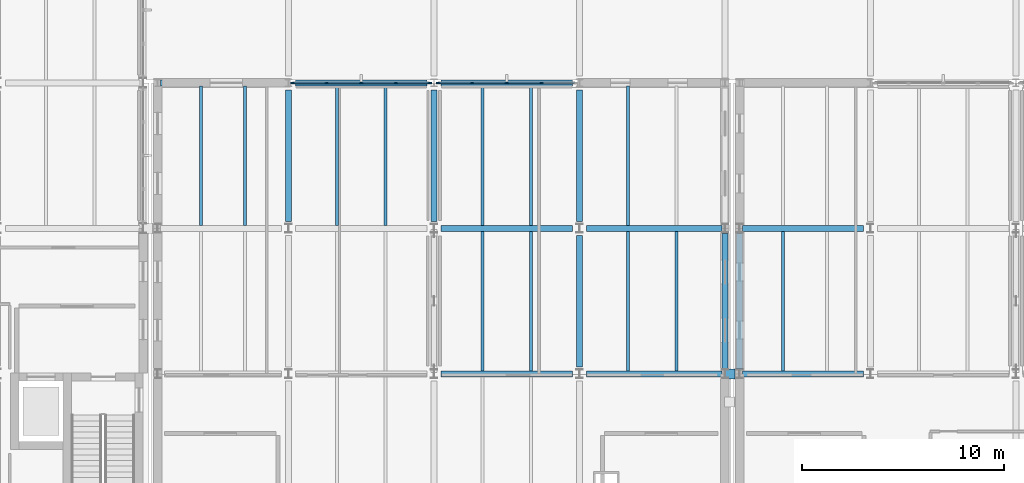
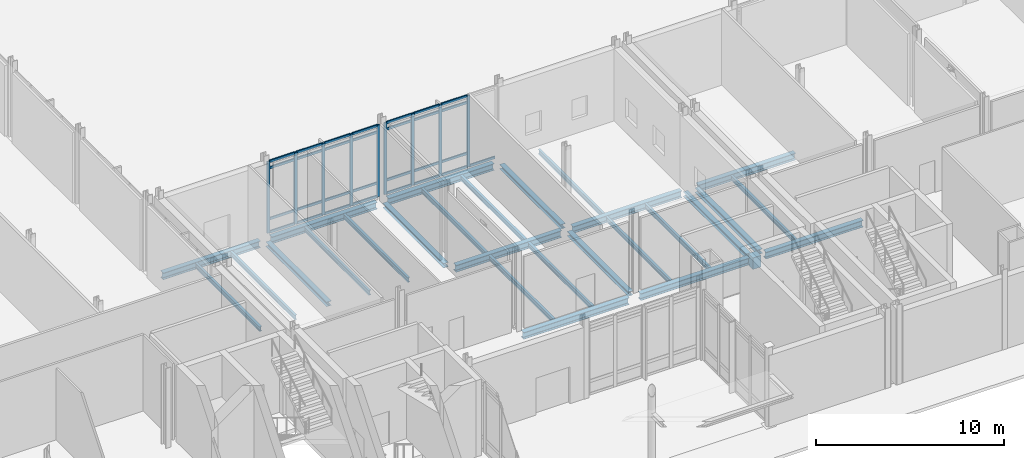
# One storey, part 15 of 89: 38 members, 28 beams, 2 elements without a shape of their own.
"""IFC4 building model written with IfcOpenShell, lengths in metres."""

from ifc_helpers import new_model, si_unit, direction, frame, origin, origin_2d, place, context, subcontext, project, spatial, rectangle, i_section, extrude, material, layer, layer_set, material_profile, profile_set, type_object, element, aggregate, save


model = new_model("IFC4")

# Units and contexts
model_context = context("Model", 3, precision=1e-05, world=origin(), true_north=direction((0.0, 1.0)))
body_context = subcontext(model_context, "Body", "Model", "MODEL_VIEW")
ifc_project = project(units=[si_unit("LENGTHUNIT", "METRE"), si_unit("AREAUNIT", "SQUARE_METRE"), si_unit("VOLUMEUNIT", "CUBIC_METRE"), si_unit("PLANEANGLEUNIT", "RADIAN"), si_unit("MASSUNIT", "GRAM", prefix="KILO")], contexts=[model_context])

# Site, building, storey
site_placement = place(None, origin())
site = spatial("IfcSite", under=ifc_project, at=site_placement, CompositionType="ELEMENT")
building_placement = place(site_placement, origin())
building = spatial("IfcBuilding", under=site, at=building_placement, Name="Zarrinpeak Specialist Clinic", CompositionType="ELEMENT")
storey_placement = place(building_placement, origin())
storey = spatial("IfcBuildingStorey", under=building, at=storey_placement, Name="L00", CompositionType="ELEMENT", Elevation=0.0)

# Beams
ifc_material_1 = material(Name="Steel S355", Category="steel")
ifc_material_profile_1 = material_profile(ifc_material_1, i_section(OverallWidth=0.300048828125, OverallDepth=0.2900390625, WebThickness=0.008544921875, FlangeThickness=0.013916015625, FilletRadius=0.027099609375, at=origin_2d()), Name="HEA 300")
ifc_profile_set_1 = profile_set([ifc_material_profile_1], Name="Steel S355")
beam_type_1 = type_object("IfcBeamType", Name="BM-HEA300", PredefinedType="BEAM", material=ifc_profile_set_1)
for number, where, z_axis, x_axis, name in (
    (1, (36.0, 21.947998046875, -0.39501953125), (0.0, 1.0, 0.0), (-1.0, 0.0, 0.0), "L00 Primary Beam BM-L00-Y0266"),
    (2, (43.199951171875, 21.947998046875, -0.39501953125), (0.0, 1.0, 0.0), (-1.0, 0.0, 0.0), "L00 Primary Beam BM-L00-Y0281"),
    (3, (50.39990234375, 14.748046875, -0.39501953125), (0.0, 1.0, 0.0), (-1.0, 0.0, 0.0), "L00 Primary Beam BM-L00-Y0297"),
    (4, (50.39990234375, 21.947998046875, -0.39501953125), (0.0, 1.0, 0.0), (-1.0, 0.0, 0.0), "L00 Primary Beam BM-L00-Y0298"),
):
    element("IfcBeam", number, at=place(storey_placement, frame(where, z_axis=z_axis, x_axis=x_axis)), inside=storey, type_object=beam_type_1, Name=name, PredefinedType="BEAM", context=body_context, shape_type="SweptSolid", body=[
        extrude(i_section(OverallWidth=0.300048828125, OverallDepth=0.2900390625, WebThickness=0.008544921875, FlangeThickness=0.013916015625, FilletRadius=0.027099609375, at=origin_2d()), origin(), (0.0, 0.0, 1.0), 6.50390625),
    ])
for number, where, z_axis, x_axis, name in (
    (5, (57.60009765625, 14.64794921875, -0.39501953125), (0.0, 1.0, 0.0), (-1.0, 0.0, 0.0), "L00 Primary Beam BM-L00-Y0312"),
    (6, (58.320068359375, 14.64794921875, -0.39501953125), (0.0, 1.0, 0.0), (-1.0, 0.0, 0.0), "L00 Primary Beam BM-L00-Y0327"),
):
    element("IfcBeam", number, at=place(storey_placement, frame(where, z_axis=z_axis, x_axis=x_axis)), inside=storey, type_object=beam_type_1, Name=name, PredefinedType="BEAM", context=body_context, shape_type="SweptSolid", body=[
        extrude(i_section(OverallWidth=0.300048828125, OverallDepth=0.2900390625, WebThickness=0.008544921875, FlangeThickness=0.013916015625, FilletRadius=0.027099609375, at=origin_2d()), origin(), (0.0, 0.0, 1.0), 6.7041015625),
    ])
ifc_material_profile_2 = material_profile(ifc_material_1, i_section(OverallWidth=0.300048828125, OverallDepth=0.43994140625, WebThickness=0.011474609375, FlangeThickness=0.02099609375, FilletRadius=0.027099609375, at=origin_2d()), Name="HEA 450")
ifc_profile_set_2 = profile_set([ifc_material_profile_2], Name="Steel S355")
beam_type_2 = type_object("IfcBeamType", Name="BM-HEA450", PredefinedType="BEAM", material=ifc_profile_set_2)
beam_1_placement = place(storey_placement, frame((43.548095703125, 14.39990234375, -0.469970703125), z_axis=(1.0, 0.0, 0.0), x_axis=(0.0, 1.0, 0.0)))
element("IfcBeam", 7, at=beam_1_placement, inside=storey, type_object=beam_type_2, Name="L00 Primary Floor Girder BM-L00-X0022", PredefinedType="BEAM", context=body_context, shape_type="SweptSolid", body=[
    extrude(i_section(OverallWidth=0.300048828125, OverallDepth=0.43994140625, WebThickness=0.011474609375, FlangeThickness=0.02099609375, FilletRadius=0.027099609375, at=origin_2d()), origin(), (0.0, 0.0, 1.0), 6.50390625),
])
beam_2_placement = place(storey_placement, frame((50.748046875, 14.39990234375, -0.469970703125), z_axis=(1.0, 0.0, 0.0), x_axis=(0.0, 1.0, 0.0)))
element("IfcBeam", 8, at=beam_2_placement, inside=storey, type_object=beam_type_2, Name="L00 Primary Floor Girder BM-L00-X0023", PredefinedType="BEAM", context=body_context, shape_type="SweptSolid", body=[
    extrude(i_section(OverallWidth=0.300048828125, OverallDepth=0.43994140625, WebThickness=0.011474609375, FlangeThickness=0.02099609375, FilletRadius=0.027099609375, at=origin_2d()), origin(), (0.0, 0.0, 1.0), 6.703857421875),
])
beam_3_placement = place(storey_placement, frame((58.468017578125, 14.39990234375, -0.469970703125), z_axis=(1.0, 0.0, 0.0), x_axis=(0.0, 1.0, 0.0)))
element("IfcBeam", 9, at=beam_3_placement, inside=storey, type_object=beam_type_2, Name="L00 Primary Floor Girder BM-L00-X0024", PredefinedType="BEAM", context=body_context, shape_type="SweptSolid", body=[
    extrude(i_section(OverallWidth=0.300048828125, OverallDepth=0.43994140625, WebThickness=0.011474609375, FlangeThickness=0.02099609375, FilletRadius=0.027099609375, at=origin_2d()), origin(), (0.0, 0.0, 1.0), 5.98388671875),
])
beam_4_placement = place(storey_placement, frame((43.548095703125, 21.60009765625, -0.469970703125), z_axis=(1.0, 0.0, 0.0), x_axis=(0.0, 1.0, 0.0)))
element("IfcBeam", 10, at=beam_4_placement, inside=storey, type_object=beam_type_2, Name="L00 Primary Floor Girder BM-L00-X0034", PredefinedType="BEAM", context=body_context, shape_type="SweptSolid", body=[
    extrude(i_section(OverallWidth=0.300048828125, OverallDepth=0.43994140625, WebThickness=0.011474609375, FlangeThickness=0.02099609375, FilletRadius=0.027099609375, at=origin_2d()), origin(), (0.0, 0.0, 1.0), 6.50390625),
])
beam_5_placement = place(storey_placement, frame((50.748046875, 21.60009765625, -0.469970703125), z_axis=(1.0, 0.0, 0.0), x_axis=(0.0, 1.0, 0.0)))
element("IfcBeam", 11, at=beam_5_placement, inside=storey, type_object=beam_type_2, Name="L00 Primary Floor Girder BM-L00-X0035", PredefinedType="BEAM", context=body_context, shape_type="SweptSolid", body=[
    extrude(i_section(OverallWidth=0.300048828125, OverallDepth=0.43994140625, WebThickness=0.011474609375, FlangeThickness=0.02099609375, FilletRadius=0.027099609375, at=origin_2d()), origin(), (0.0, 0.0, 1.0), 6.703857421875),
])
beam_6_placement = place(storey_placement, frame((58.468017578125, 21.60009765625, -0.469970703125), z_axis=(1.0, 0.0, 0.0), x_axis=(0.0, 1.0, 0.0)))
element("IfcBeam", 12, at=beam_6_placement, inside=storey, type_object=beam_type_2, Name="L00 Primary Floor Girder BM-L00-X0036", PredefinedType="BEAM", context=body_context, shape_type="SweptSolid", body=[
    extrude(i_section(OverallWidth=0.300048828125, OverallDepth=0.43994140625, WebThickness=0.011474609375, FlangeThickness=0.02099609375, FilletRadius=0.027099609375, at=origin_2d()), origin(), (0.0, 0.0, 1.0), 5.98388671875),
])
beam_7_placement = place(storey_placement, frame((29.66796875, 28.800048828125, -0.469970703125), z_axis=(1.0, 0.0, 0.0), x_axis=(0.0, 1.0, 0.0)))
element("IfcBeam", 13, at=beam_7_placement, inside=storey, type_object=beam_type_2, Name="L00 Primary Floor Girder BM-L00-X0044", PredefinedType="BEAM", context=body_context, shape_type="SweptSolid", body=[
    extrude(i_section(OverallWidth=0.300048828125, OverallDepth=0.43994140625, WebThickness=0.011474609375, FlangeThickness=0.02099609375, FilletRadius=0.027099609375, at=origin_2d()), origin(), (0.0, 0.0, 1.0), 5.984130859375),
])
beam_8_placement = place(storey_placement, frame((36.347900390625, 28.800048828125, -0.469970703125), z_axis=(1.0, 0.0, 0.0), x_axis=(0.0, 1.0, 0.0)))
element("IfcBeam", 14, at=beam_8_placement, inside=storey, type_object=beam_type_2, Name="L00 Primary Floor Girder BM-L00-X0045", PredefinedType="BEAM", context=body_context, shape_type="SweptSolid", body=[
    extrude(i_section(OverallWidth=0.300048828125, OverallDepth=0.43994140625, WebThickness=0.011474609375, FlangeThickness=0.02099609375, FilletRadius=0.027099609375, at=origin_2d()), origin(), (0.0, 0.0, 1.0), 6.504150390625),
])
beam_9_placement = place(storey_placement, frame((43.548095703125, 28.800048828125, -0.469970703125), z_axis=(1.0, 0.0, 0.0), x_axis=(0.0, 1.0, 0.0)))
element("IfcBeam", 15, at=beam_9_placement, inside=storey, type_object=beam_type_2, Name="L00 Primary Floor Girder BM-L00-X0046", PredefinedType="BEAM", context=body_context, shape_type="SweptSolid", body=[
    extrude(i_section(OverallWidth=0.300048828125, OverallDepth=0.43994140625, WebThickness=0.011474609375, FlangeThickness=0.02099609375, FilletRadius=0.027099609375, at=origin_2d()), origin(), (0.0, 0.0, 1.0), 6.50390625),
])
ifc_material_profile_3 = material_profile(ifc_material_1, i_section(OverallWidth=0.14990234375, OverallDepth=0.300048828125, WebThickness=0.007080078125, FlangeThickness=0.0107421875, FilletRadius=0.014892578125, at=origin_2d()), Name="IPE 300")
ifc_profile_set_3 = profile_set([ifc_material_profile_3], Name="Steel S355")
beam_type_3 = type_object("IfcBeamType", Name="BM-JST300", PredefinedType="JOIST", material=ifc_profile_set_3)
for number, where, z_axis, x_axis, name in (
    (16, (31.679931640625, 21.748046875, -0.39990234375), (0.0, 1.0, 0.0), (-1.0, 0.0, 0.0), "L00 Composite Floor Joist JST-L00-0459"),
    (17, (33.840087890625, 21.748046875, -0.39990234375), (0.0, 1.0, 0.0), (-1.0, 0.0, 0.0), "L00 Composite Floor Joist JST-L00-0460"),
    (18, (38.39990234375, 21.748046875, -0.39990234375), (0.0, 1.0, 0.0), (-1.0, 0.0, 0.0), "L00 Composite Floor Joist JST-L00-0467"),
    (19, (40.800048828125, 21.748046875, -0.39990234375), (0.0, 1.0, 0.0), (-1.0, 0.0, 0.0), "L00 Composite Floor Joist JST-L00-0468"),
):
    element("IfcBeam", number, at=place(storey_placement, frame(where, z_axis=z_axis, x_axis=x_axis)), inside=storey, type_object=beam_type_3, Name=name, PredefinedType="JOIST", context=body_context, shape_type="SweptSolid", body=[
        extrude(i_section(OverallWidth=0.14990234375, OverallDepth=0.300048828125, WebThickness=0.007080078125, FlangeThickness=0.0107421875, FilletRadius=0.014892578125, at=origin_2d()), origin(), (0.0, 0.0, 1.0), 6.904052734375),
    ])
for number, where, z_axis, x_axis, name in (
    (20, (45.60009765625, 14.548095703125, -0.39990234375), (0.0, 1.0, 0.0), (-1.0, 0.0, 0.0), "L00 Composite Floor Joist JST-L00-0473"),
    (21, (48.0, 14.548095703125, -0.39990234375), (0.0, 1.0, 0.0), (-1.0, 0.0, 0.0), "L00 Composite Floor Joist JST-L00-0474"),
):
    element("IfcBeam", number, at=place(storey_placement, frame(where, z_axis=z_axis, x_axis=x_axis)), inside=storey, type_object=beam_type_3, Name=name, PredefinedType="JOIST", context=body_context, shape_type="SweptSolid", body=[
        extrude(i_section(OverallWidth=0.14990234375, OverallDepth=0.300048828125, WebThickness=0.007080078125, FlangeThickness=0.0107421875, FilletRadius=0.014892578125, at=origin_2d()), origin(), (0.0, 0.0, 1.0), 6.90380859375),
    ])
for number, where, z_axis, x_axis, name in (
    (22, (45.60009765625, 21.748046875, -0.39990234375), (0.0, 1.0, 0.0), (-1.0, 0.0, 0.0), "L00 Composite Floor Joist JST-L00-0475"),
    (23, (48.0, 21.748046875, -0.39990234375), (0.0, 1.0, 0.0), (-1.0, 0.0, 0.0), "L00 Composite Floor Joist JST-L00-0476"),
):
    element("IfcBeam", number, at=place(storey_placement, frame(where, z_axis=z_axis, x_axis=x_axis)), inside=storey, type_object=beam_type_3, Name=name, PredefinedType="JOIST", context=body_context, shape_type="SweptSolid", body=[
        extrude(i_section(OverallWidth=0.14990234375, OverallDepth=0.300048828125, WebThickness=0.007080078125, FlangeThickness=0.0107421875, FilletRadius=0.014892578125, at=origin_2d()), origin(), (0.0, 0.0, 1.0), 6.904052734375),
    ])
for number, where, z_axis, x_axis, name in (
    (24, (52.800048828125, 14.548095703125, -0.39990234375), (0.0, 1.0, 0.0), (-1.0, 0.0, 0.0), "L00 Composite Floor Joist JST-L00-0477"),
    (25, (55.199951171875, 14.548095703125, -0.39990234375), (0.0, 1.0, 0.0), (-1.0, 0.0, 0.0), "L00 Composite Floor Joist JST-L00-0478"),
):
    element("IfcBeam", number, at=place(storey_placement, frame(where, z_axis=z_axis, x_axis=x_axis)), inside=storey, type_object=beam_type_3, Name=name, PredefinedType="JOIST", context=body_context, shape_type="SweptSolid", body=[
        extrude(i_section(OverallWidth=0.14990234375, OverallDepth=0.300048828125, WebThickness=0.007080078125, FlangeThickness=0.0107421875, FilletRadius=0.014892578125, at=origin_2d()), origin(), (0.0, 0.0, 1.0), 6.90380859375),
    ])
beam_10_placement = place(storey_placement, frame((52.800048828125, 21.748046875, -0.39990234375), z_axis=(0.0, 1.0, 0.0), x_axis=(-1.0, 0.0, 0.0)))
element("IfcBeam", 26, at=beam_10_placement, inside=storey, type_object=beam_type_3, Name="L00 Composite Floor Joist JST-L00-0479", PredefinedType="JOIST", context=body_context, shape_type="SweptSolid", body=[
    extrude(i_section(OverallWidth=0.14990234375, OverallDepth=0.300048828125, WebThickness=0.007080078125, FlangeThickness=0.0107421875, FilletRadius=0.014892578125, at=origin_2d()), origin(), (0.0, 0.0, 1.0), 6.904052734375),
])
beam_11_placement = place(storey_placement, frame((60.47998046875, 14.548095703125, -0.39990234375), z_axis=(0.0, 1.0, 0.0), x_axis=(-1.0, 0.0, 0.0)))
element("IfcBeam", 27, at=beam_11_placement, inside=storey, type_object=beam_type_3, Name="L00 Composite Floor Joist JST-L00-0481", PredefinedType="JOIST", context=body_context, shape_type="SweptSolid", body=[
    extrude(i_section(OverallWidth=0.14990234375, OverallDepth=0.300048828125, WebThickness=0.007080078125, FlangeThickness=0.0107421875, FilletRadius=0.014892578125, at=origin_2d()), origin(), (0.0, 0.0, 1.0), 6.90380859375),
])
ifc_material_2 = material(Name="Concrete C40/50", Category="concrete")
ifc_material_profile_4 = material_profile(ifc_material_2, rectangle(XDim=0.5, YDim=0.75, at=origin_2d()), Name="RC 500x750")
ifc_profile_set_4 = profile_set([ifc_material_profile_4], Name="Concrete C40/50")
beam_type_4 = type_object("IfcBeamType", Name="BM-RC500", PredefinedType="BEAM", material=ifc_profile_set_4)
beam_12_placement = place(storey_placement, frame((57.60009765625, 14.39990234375, -0.625), z_axis=(1.0, 0.0, 0.0), x_axis=(0.0, 1.0, 0.0)))
element("IfcBeam", 28, at=beam_12_placement, inside=storey, type_object=beam_type_4, Name="L00 500 mm Bridge Seat Corbel SJ-2", PredefinedType="BEAM", context=body_context, shape_type="SweptSolid", body=[
    extrude(rectangle(XDim=0.5, YDim=0.75, at=origin_2d()), origin(), (0.0, 0.0, 1.0), 0.5),
])

# Curtain wall, members
ifc_material_3 = material(Name="Anodised Aluminium Alloy 6063-T6", Category="aluminium")
ifc_layer = layer(ifc_material_3, 0.179931640625)
ifc_layer_set = layer_set([ifc_layer], Name="Anodised Aluminium Alloy 6063-T6")
curtain_wall_type = type_object("IfcCurtainWallType", Name="CW-COURT", PredefinedType="NOTDEFINED", material=ifc_layer_set)
curtain_wall_1_placement = place(storey_placement, origin())
curtain_wall_1 = element("IfcCurtainWall", 29, at=curtain_wall_1_placement, inside=storey, type_object=curtain_wall_type, Name="L00 V2 Unitised Curtain Wall CW-L00-V2-043", PredefinedType="NOTDEFINED")
ifc_material_profile_5 = material_profile(ifc_material_3, rectangle(XDim=0.074951171875, YDim=0.179931640625, at=origin_2d()), Name="ALU 75x180")
ifc_profile_set_5 = profile_set([ifc_material_profile_5], Name="Anodised Aluminium Alloy 6063-T6")
member_type_1 = type_object("IfcMemberType", Name="CWM-75", PredefinedType="MULLION", material=ifc_profile_set_5)
member_1_placement = place(storey_placement, frame((42.987548828125, 28.800048828125, 0.0), z_axis=(0.0, 0.0, 1.0), x_axis=(0.0, -1.0, 0.0)))
member_1 = element("IfcMember", 30, at=member_1_placement, type_object=member_type_1, Name="CW-01 mullion 1", PredefinedType="MULLION", context=body_context, shape_type="SweptSolid", body=[
    extrude(rectangle(XDim=0.074951171875, YDim=0.179931640625, at=origin_2d()), origin(), (0.0, 0.0, 1.0), 4.6650390625),
])
member_2_placement = place(storey_placement, frame((41.3125, 28.800048828125, 0.0), z_axis=(0.0, 0.0, 1.0), x_axis=(0.0, -1.0, 0.0)))
member_2 = element("IfcMember", 31, at=member_2_placement, type_object=member_type_1, Name="CW-01 mullion 2", PredefinedType="MULLION", context=body_context, shape_type="SweptSolid", body=[
    extrude(rectangle(XDim=0.074951171875, YDim=0.179931640625, at=origin_2d()), origin(), (0.0, 0.0, 1.0), 4.6650390625),
])
member_3_placement = place(storey_placement, frame((39.60009765625, 28.800048828125, 0.0), z_axis=(0.0, 0.0, 1.0), x_axis=(0.0, -1.0, 0.0)))
member_3 = element("IfcMember", 32, at=member_3_placement, type_object=member_type_1, Name="CW-01 mullion 3", PredefinedType="MULLION", context=body_context, shape_type="SweptSolid", body=[
    extrude(rectangle(XDim=0.074951171875, YDim=0.179931640625, at=origin_2d()), origin(), (0.0, 0.0, 1.0), 4.6650390625),
])
member_4_placement = place(storey_placement, frame((37.887451171875, 28.800048828125, 0.0), z_axis=(0.0, 0.0, 1.0), x_axis=(0.0, -1.0, 0.0)))
member_4 = element("IfcMember", 33, at=member_4_placement, type_object=member_type_1, Name="CW-01 mullion 4", PredefinedType="MULLION", context=body_context, shape_type="SweptSolid", body=[
    extrude(rectangle(XDim=0.074951171875, YDim=0.179931640625, at=origin_2d()), origin(), (0.0, 0.0, 1.0), 4.6650390625),
])
member_5_placement = place(storey_placement, frame((36.21240234375, 28.800048828125, 0.0), z_axis=(0.0, 0.0, 1.0), x_axis=(0.0, -1.0, 0.0)))
member_5 = element("IfcMember", 34, at=member_5_placement, type_object=member_type_1, Name="CW-01 mullion 5", PredefinedType="MULLION", context=body_context, shape_type="SweptSolid", body=[
    extrude(rectangle(XDim=0.074951171875, YDim=0.179931640625, at=origin_2d()), origin(), (0.0, 0.0, 1.0), 4.6650390625),
])

curtain_wall_2_placement = place(storey_placement, origin())
curtain_wall_2 = element("IfcCurtainWall", 35, at=curtain_wall_2_placement, inside=storey, type_object=curtain_wall_type, Name="L00 V2 Unitised Curtain Wall CW-L00-V2-044", PredefinedType="NOTDEFINED")
member_6_placement = place(storey_placement, frame((48.512451171875, 28.800048828125, 0.0), z_axis=(0.0, 0.0, 1.0), x_axis=(0.0, -1.0, 0.0)))
member_6 = element("IfcMember", 36, at=member_6_placement, type_object=member_type_1, Name="CW-01 mullion 2", PredefinedType="MULLION", context=body_context, shape_type="SweptSolid", body=[
    extrude(rectangle(XDim=0.074951171875, YDim=0.179931640625, at=origin_2d()), origin(), (0.0, 0.0, 1.0), 4.6650390625),
])
member_7_placement = place(storey_placement, frame((46.800048828125, 28.800048828125, 0.0), z_axis=(0.0, 0.0, 1.0), x_axis=(0.0, -1.0, 0.0)))
member_7 = element("IfcMember", 37, at=member_7_placement, type_object=member_type_1, Name="CW-01 mullion 3", PredefinedType="MULLION", context=body_context, shape_type="SweptSolid", body=[
    extrude(rectangle(XDim=0.074951171875, YDim=0.179931640625, at=origin_2d()), origin(), (0.0, 0.0, 1.0), 4.6650390625),
])
member_8_placement = place(storey_placement, frame((45.08740234375, 28.800048828125, 0.0), z_axis=(0.0, 0.0, 1.0), x_axis=(0.0, -1.0, 0.0)))
member_8 = element("IfcMember", 38, at=member_8_placement, type_object=member_type_1, Name="CW-01 mullion 4", PredefinedType="MULLION", context=body_context, shape_type="SweptSolid", body=[
    extrude(rectangle(XDim=0.074951171875, YDim=0.179931640625, at=origin_2d()), origin(), (0.0, 0.0, 1.0), 4.6650390625),
])
member_9_placement = place(storey_placement, frame((43.41259765625, 28.800048828125, 0.0), z_axis=(0.0, 0.0, 1.0), x_axis=(0.0, -1.0, 0.0)))
member_9 = element("IfcMember", 39, at=member_9_placement, type_object=member_type_1, Name="CW-01 mullion 5", PredefinedType="MULLION", context=body_context, shape_type="SweptSolid", body=[
    extrude(rectangle(XDim=0.074951171875, YDim=0.179931640625, at=origin_2d()), origin(), (0.0, 0.0, 1.0), 4.6650390625),
])

# Member
ifc_material_profile_6 = material_profile(ifc_material_3, rectangle(XDim=0.074951171875, YDim=0.159912109375, at=origin_2d()), Name="ALU 75x160")
ifc_profile_set_6 = profile_set([ifc_material_profile_6], Name="Anodised Aluminium Alloy 6063-T6")
member_type_2 = type_object("IfcMemberType", Name="CWT-75", PredefinedType="USERDEFINED", material=ifc_profile_set_6)
member_10_placement = place(storey_placement, frame((42.949951171875, 28.800048828125, 0.03759765625), z_axis=(-1.0, 0.0, 0.0), x_axis=(0.0, -1.0, 0.0)))
member_10 = element("IfcMember", 40, at=member_10_placement, type_object=member_type_2, Name="CW-01 transom 1.1", ObjectType="TRANSOM", PredefinedType="USERDEFINED", context=body_context, shape_type="SweptSolid", body=[
    extrude(rectangle(XDim=0.074951171875, YDim=0.159912109375, at=origin_2d()), origin(), (0.0, 0.0, 1.0), 1.599853515625),
])

member_11_placement = place(storey_placement, frame((42.949951171875, 28.800048828125, 0.89990234375), z_axis=(-1.0, 0.0, 0.0), x_axis=(0.0, -1.0, 0.0)))
member_11 = element("IfcMember", 41, at=member_11_placement, type_object=member_type_2, Name="CW-01 transom 1.2", ObjectType="TRANSOM", PredefinedType="USERDEFINED", context=body_context, shape_type="SweptSolid", body=[
    extrude(rectangle(XDim=0.074951171875, YDim=0.159912109375, at=origin_2d()), origin(), (0.0, 0.0, 1.0), 1.599853515625),
])

member_12_placement = place(storey_placement, frame((42.949951171875, 28.800048828125, 4.215087890625), z_axis=(-1.0, 0.0, 0.0), x_axis=(0.0, -1.0, 0.0)))
member_12 = element("IfcMember", 42, at=member_12_placement, type_object=member_type_2, Name="CW-01 transom 1.3", ObjectType="TRANSOM", PredefinedType="USERDEFINED", context=body_context, shape_type="SweptSolid", body=[
    extrude(rectangle(XDim=0.074951171875, YDim=0.159912109375, at=origin_2d()), origin(), (0.0, 0.0, 1.0), 1.599853515625),
])

member_13_placement = place(storey_placement, frame((42.949951171875, 28.800048828125, 4.62744140625), z_axis=(-1.0, 0.0, 0.0), x_axis=(0.0, -1.0, 0.0)))
member_13 = element("IfcMember", 43, at=member_13_placement, type_object=member_type_2, Name="CW-01 transom 1.4", ObjectType="TRANSOM", PredefinedType="USERDEFINED", context=body_context, shape_type="SweptSolid", body=[
    extrude(rectangle(XDim=0.074951171875, YDim=0.159912109375, at=origin_2d()), origin(), (0.0, 0.0, 1.0), 1.599853515625),
])

member_14_placement = place(storey_placement, frame((41.27490234375, 28.800048828125, 0.03759765625), z_axis=(-1.0, 0.0, 0.0), x_axis=(0.0, -1.0, 0.0)))
member_14 = element("IfcMember", 44, at=member_14_placement, type_object=member_type_2, Name="CW-01 transom 2.1", ObjectType="TRANSOM", PredefinedType="USERDEFINED", context=body_context, shape_type="SweptSolid", body=[
    extrude(rectangle(XDim=0.074951171875, YDim=0.159912109375, at=origin_2d()), origin(), (0.0, 0.0, 1.0), 1.637451171875),
])

member_15_placement = place(storey_placement, frame((41.27490234375, 28.800048828125, 0.89990234375), z_axis=(-1.0, 0.0, 0.0), x_axis=(0.0, -1.0, 0.0)))
member_15 = element("IfcMember", 45, at=member_15_placement, type_object=member_type_2, Name="CW-01 transom 2.2", ObjectType="TRANSOM", PredefinedType="USERDEFINED", context=body_context, shape_type="SweptSolid", body=[
    extrude(rectangle(XDim=0.074951171875, YDim=0.159912109375, at=origin_2d()), origin(), (0.0, 0.0, 1.0), 1.637451171875),
])

member_16_placement = place(storey_placement, frame((41.27490234375, 28.800048828125, 4.215087890625), z_axis=(-1.0, 0.0, 0.0), x_axis=(0.0, -1.0, 0.0)))
member_16 = element("IfcMember", 46, at=member_16_placement, type_object=member_type_2, Name="CW-01 transom 2.3", ObjectType="TRANSOM", PredefinedType="USERDEFINED", context=body_context, shape_type="SweptSolid", body=[
    extrude(rectangle(XDim=0.074951171875, YDim=0.159912109375, at=origin_2d()), origin(), (0.0, 0.0, 1.0), 1.637451171875),
])

member_17_placement = place(storey_placement, frame((41.27490234375, 28.800048828125, 4.62744140625), z_axis=(-1.0, 0.0, 0.0), x_axis=(0.0, -1.0, 0.0)))
member_17 = element("IfcMember", 47, at=member_17_placement, type_object=member_type_2, Name="CW-01 transom 2.4", ObjectType="TRANSOM", PredefinedType="USERDEFINED", context=body_context, shape_type="SweptSolid", body=[
    extrude(rectangle(XDim=0.074951171875, YDim=0.159912109375, at=origin_2d()), origin(), (0.0, 0.0, 1.0), 1.637451171875),
])

member_18_placement = place(storey_placement, frame((39.5625, 28.800048828125, 0.03759765625), z_axis=(-1.0, 0.0, 0.0), x_axis=(0.0, -1.0, 0.0)))
member_18 = element("IfcMember", 48, at=member_18_placement, type_object=member_type_2, Name="CW-01 transom 3.1", ObjectType="TRANSOM", PredefinedType="USERDEFINED", context=body_context, shape_type="SweptSolid", body=[
    extrude(rectangle(XDim=0.074951171875, YDim=0.159912109375, at=origin_2d()), origin(), (0.0, 0.0, 1.0), 1.637451171875),
])

member_19_placement = place(storey_placement, frame((39.5625, 28.800048828125, 0.89990234375), z_axis=(-1.0, 0.0, 0.0), x_axis=(0.0, -1.0, 0.0)))
member_19 = element("IfcMember", 49, at=member_19_placement, type_object=member_type_2, Name="CW-01 transom 3.2", ObjectType="TRANSOM", PredefinedType="USERDEFINED", context=body_context, shape_type="SweptSolid", body=[
    extrude(rectangle(XDim=0.074951171875, YDim=0.159912109375, at=origin_2d()), origin(), (0.0, 0.0, 1.0), 1.637451171875),
])

member_20_placement = place(storey_placement, frame((39.5625, 28.800048828125, 4.215087890625), z_axis=(-1.0, 0.0, 0.0), x_axis=(0.0, -1.0, 0.0)))
member_20 = element("IfcMember", 50, at=member_20_placement, type_object=member_type_2, Name="CW-01 transom 3.3", ObjectType="TRANSOM", PredefinedType="USERDEFINED", context=body_context, shape_type="SweptSolid", body=[
    extrude(rectangle(XDim=0.074951171875, YDim=0.159912109375, at=origin_2d()), origin(), (0.0, 0.0, 1.0), 1.637451171875),
])

member_21_placement = place(storey_placement, frame((39.5625, 28.800048828125, 4.62744140625), z_axis=(-1.0, 0.0, 0.0), x_axis=(0.0, -1.0, 0.0)))
member_21 = element("IfcMember", 51, at=member_21_placement, type_object=member_type_2, Name="CW-01 transom 3.4", ObjectType="TRANSOM", PredefinedType="USERDEFINED", context=body_context, shape_type="SweptSolid", body=[
    extrude(rectangle(XDim=0.074951171875, YDim=0.159912109375, at=origin_2d()), origin(), (0.0, 0.0, 1.0), 1.637451171875),
])

member_22_placement = place(storey_placement, frame((37.85009765625, 28.800048828125, 0.03759765625), z_axis=(-1.0, 0.0, 0.0), x_axis=(0.0, -1.0, 0.0)))
member_22 = element("IfcMember", 52, at=member_22_placement, type_object=member_type_2, Name="CW-01 transom 4.1", ObjectType="TRANSOM", PredefinedType="USERDEFINED", context=body_context, shape_type="SweptSolid", body=[
    extrude(rectangle(XDim=0.074951171875, YDim=0.159912109375, at=origin_2d()), origin(), (0.0, 0.0, 1.0), 1.60009765625),
])

member_23_placement = place(storey_placement, frame((37.85009765625, 28.800048828125, 0.89990234375), z_axis=(-1.0, 0.0, 0.0), x_axis=(0.0, -1.0, 0.0)))
member_23 = element("IfcMember", 53, at=member_23_placement, type_object=member_type_2, Name="CW-01 transom 4.2", ObjectType="TRANSOM", PredefinedType="USERDEFINED", context=body_context, shape_type="SweptSolid", body=[
    extrude(rectangle(XDim=0.074951171875, YDim=0.159912109375, at=origin_2d()), origin(), (0.0, 0.0, 1.0), 1.60009765625),
])

member_24_placement = place(storey_placement, frame((37.85009765625, 28.800048828125, 4.215087890625), z_axis=(-1.0, 0.0, 0.0), x_axis=(0.0, -1.0, 0.0)))
member_24 = element("IfcMember", 54, at=member_24_placement, type_object=member_type_2, Name="CW-01 transom 4.3", ObjectType="TRANSOM", PredefinedType="USERDEFINED", context=body_context, shape_type="SweptSolid", body=[
    extrude(rectangle(XDim=0.074951171875, YDim=0.159912109375, at=origin_2d()), origin(), (0.0, 0.0, 1.0), 1.60009765625),
])

member_25_placement = place(storey_placement, frame((37.85009765625, 28.800048828125, 4.62744140625), z_axis=(-1.0, 0.0, 0.0), x_axis=(0.0, -1.0, 0.0)))
member_25 = element("IfcMember", 55, at=member_25_placement, type_object=member_type_2, Name="CW-01 transom 4.4", ObjectType="TRANSOM", PredefinedType="USERDEFINED", context=body_context, shape_type="SweptSolid", body=[
    extrude(rectangle(XDim=0.074951171875, YDim=0.159912109375, at=origin_2d()), origin(), (0.0, 0.0, 1.0), 1.60009765625),
])

aggregate(curtain_wall_1, [member_1, member_2, member_3, member_4, member_5, member_10, member_11, member_12, member_13, member_14, member_15, member_16, member_17, member_18, member_19, member_20, member_21, member_22, member_23, member_24, member_25])

member_26_placement = place(storey_placement, frame((50.14990234375, 28.800048828125, 0.03759765625), z_axis=(-1.0, 0.0, 0.0), x_axis=(0.0, -1.0, 0.0)))
member_26 = element("IfcMember", 56, at=member_26_placement, type_object=member_type_2, Name="CW-01 transom 1.1", ObjectType="TRANSOM", PredefinedType="USERDEFINED", context=body_context, shape_type="SweptSolid", body=[
    extrude(rectangle(XDim=0.074951171875, YDim=0.159912109375, at=origin_2d()), origin(), (0.0, 0.0, 1.0), 1.599853515625),
])

member_27_placement = place(storey_placement, frame((48.47509765625, 28.800048828125, 0.03759765625), z_axis=(-1.0, 0.0, 0.0), x_axis=(0.0, -1.0, 0.0)))
member_27 = element("IfcMember", 57, at=member_27_placement, type_object=member_type_2, Name="CW-01 transom 2.1", ObjectType="TRANSOM", PredefinedType="USERDEFINED", context=body_context, shape_type="SweptSolid", body=[
    extrude(rectangle(XDim=0.074951171875, YDim=0.159912109375, at=origin_2d()), origin(), (0.0, 0.0, 1.0), 1.6376953125),
])

member_28_placement = place(storey_placement, frame((48.47509765625, 28.800048828125, 0.89990234375), z_axis=(-1.0, 0.0, 0.0), x_axis=(0.0, -1.0, 0.0)))
member_28 = element("IfcMember", 58, at=member_28_placement, type_object=member_type_2, Name="CW-01 transom 2.2", ObjectType="TRANSOM", PredefinedType="USERDEFINED", context=body_context, shape_type="SweptSolid", body=[
    extrude(rectangle(XDim=0.074951171875, YDim=0.159912109375, at=origin_2d()), origin(), (0.0, 0.0, 1.0), 1.6376953125),
])

member_29_placement = place(storey_placement, frame((48.47509765625, 28.800048828125, 4.215087890625), z_axis=(-1.0, 0.0, 0.0), x_axis=(0.0, -1.0, 0.0)))
member_29 = element("IfcMember", 59, at=member_29_placement, type_object=member_type_2, Name="CW-01 transom 2.3", ObjectType="TRANSOM", PredefinedType="USERDEFINED", context=body_context, shape_type="SweptSolid", body=[
    extrude(rectangle(XDim=0.074951171875, YDim=0.159912109375, at=origin_2d()), origin(), (0.0, 0.0, 1.0), 1.6376953125),
])

member_30_placement = place(storey_placement, frame((48.47509765625, 28.800048828125, 4.62744140625), z_axis=(-1.0, 0.0, 0.0), x_axis=(0.0, -1.0, 0.0)))
member_30 = element("IfcMember", 60, at=member_30_placement, type_object=member_type_2, Name="CW-01 transom 2.4", ObjectType="TRANSOM", PredefinedType="USERDEFINED", context=body_context, shape_type="SweptSolid", body=[
    extrude(rectangle(XDim=0.074951171875, YDim=0.159912109375, at=origin_2d()), origin(), (0.0, 0.0, 1.0), 1.6376953125),
])

member_31_placement = place(storey_placement, frame((46.762451171875, 28.800048828125, 0.03759765625), z_axis=(-1.0, 0.0, 0.0), x_axis=(0.0, -1.0, 0.0)))
member_31 = element("IfcMember", 61, at=member_31_placement, type_object=member_type_2, Name="CW-01 transom 3.1", ObjectType="TRANSOM", PredefinedType="USERDEFINED", context=body_context, shape_type="SweptSolid", body=[
    extrude(rectangle(XDim=0.074951171875, YDim=0.159912109375, at=origin_2d()), origin(), (0.0, 0.0, 1.0), 1.637451171875),
])

member_32_placement = place(storey_placement, frame((46.762451171875, 28.800048828125, 0.89990234375), z_axis=(-1.0, 0.0, 0.0), x_axis=(0.0, -1.0, 0.0)))
member_32 = element("IfcMember", 62, at=member_32_placement, type_object=member_type_2, Name="CW-01 transom 3.2", ObjectType="TRANSOM", PredefinedType="USERDEFINED", context=body_context, shape_type="SweptSolid", body=[
    extrude(rectangle(XDim=0.074951171875, YDim=0.159912109375, at=origin_2d()), origin(), (0.0, 0.0, 1.0), 1.637451171875),
])

member_33_placement = place(storey_placement, frame((46.762451171875, 28.800048828125, 4.215087890625), z_axis=(-1.0, 0.0, 0.0), x_axis=(0.0, -1.0, 0.0)))
member_33 = element("IfcMember", 63, at=member_33_placement, type_object=member_type_2, Name="CW-01 transom 3.3", ObjectType="TRANSOM", PredefinedType="USERDEFINED", context=body_context, shape_type="SweptSolid", body=[
    extrude(rectangle(XDim=0.074951171875, YDim=0.159912109375, at=origin_2d()), origin(), (0.0, 0.0, 1.0), 1.637451171875),
])

member_34_placement = place(storey_placement, frame((46.762451171875, 28.800048828125, 4.62744140625), z_axis=(-1.0, 0.0, 0.0), x_axis=(0.0, -1.0, 0.0)))
member_34 = element("IfcMember", 64, at=member_34_placement, type_object=member_type_2, Name="CW-01 transom 3.4", ObjectType="TRANSOM", PredefinedType="USERDEFINED", context=body_context, shape_type="SweptSolid", body=[
    extrude(rectangle(XDim=0.074951171875, YDim=0.159912109375, at=origin_2d()), origin(), (0.0, 0.0, 1.0), 1.637451171875),
])

member_35_placement = place(storey_placement, frame((45.050048828125, 28.800048828125, 0.03759765625), z_axis=(-1.0, 0.0, 0.0), x_axis=(0.0, -1.0, 0.0)))
member_35 = element("IfcMember", 65, at=member_35_placement, type_object=member_type_2, Name="CW-01 transom 4.1", ObjectType="TRANSOM", PredefinedType="USERDEFINED", context=body_context, shape_type="SweptSolid", body=[
    extrude(rectangle(XDim=0.074951171875, YDim=0.159912109375, at=origin_2d()), origin(), (0.0, 0.0, 1.0), 1.60009765625),
])

member_36_placement = place(storey_placement, frame((45.050048828125, 28.800048828125, 0.89990234375), z_axis=(-1.0, 0.0, 0.0), x_axis=(0.0, -1.0, 0.0)))
member_36 = element("IfcMember", 66, at=member_36_placement, type_object=member_type_2, Name="CW-01 transom 4.2", ObjectType="TRANSOM", PredefinedType="USERDEFINED", context=body_context, shape_type="SweptSolid", body=[
    extrude(rectangle(XDim=0.074951171875, YDim=0.159912109375, at=origin_2d()), origin(), (0.0, 0.0, 1.0), 1.60009765625),
])

member_37_placement = place(storey_placement, frame((45.050048828125, 28.800048828125, 4.215087890625), z_axis=(-1.0, 0.0, 0.0), x_axis=(0.0, -1.0, 0.0)))
member_37 = element("IfcMember", 67, at=member_37_placement, type_object=member_type_2, Name="CW-01 transom 4.3", ObjectType="TRANSOM", PredefinedType="USERDEFINED", context=body_context, shape_type="SweptSolid", body=[
    extrude(rectangle(XDim=0.074951171875, YDim=0.159912109375, at=origin_2d()), origin(), (0.0, 0.0, 1.0), 1.60009765625),
])

member_38_placement = place(storey_placement, frame((45.050048828125, 28.800048828125, 4.62744140625), z_axis=(-1.0, 0.0, 0.0), x_axis=(0.0, -1.0, 0.0)))
member_38 = element("IfcMember", 68, at=member_38_placement, type_object=member_type_2, Name="CW-01 transom 4.4", ObjectType="TRANSOM", PredefinedType="USERDEFINED", context=body_context, shape_type="SweptSolid", body=[
    extrude(rectangle(XDim=0.074951171875, YDim=0.159912109375, at=origin_2d()), origin(), (0.0, 0.0, 1.0), 1.60009765625),
])

aggregate(curtain_wall_2, [member_6, member_7, member_8, member_9, member_26, member_27, member_28, member_29, member_30, member_31, member_32, member_33, member_34, member_35, member_36, member_37, member_38])

save(model, "model.ifc")
